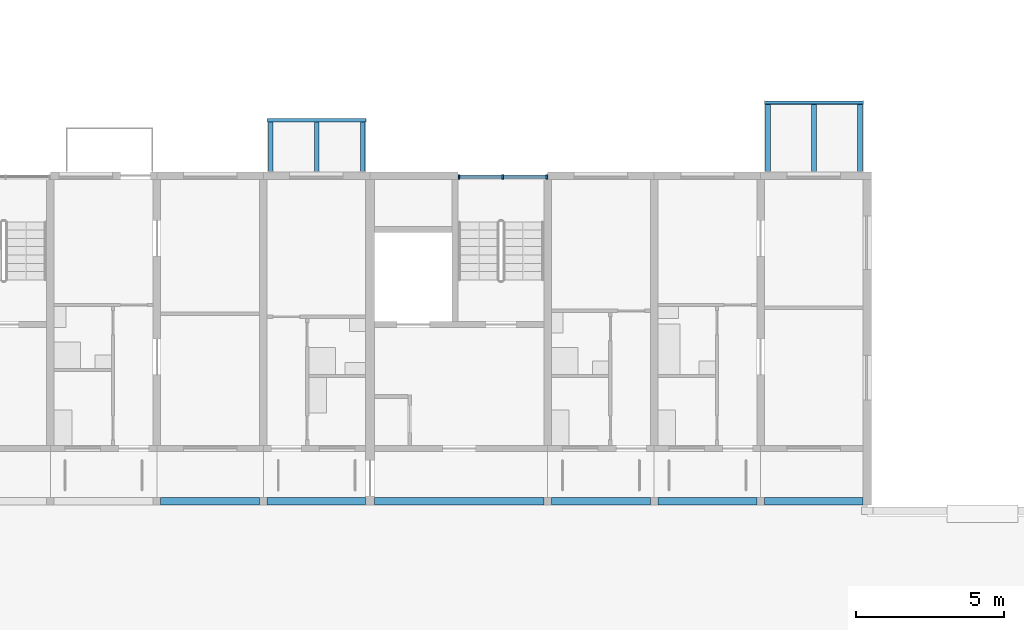
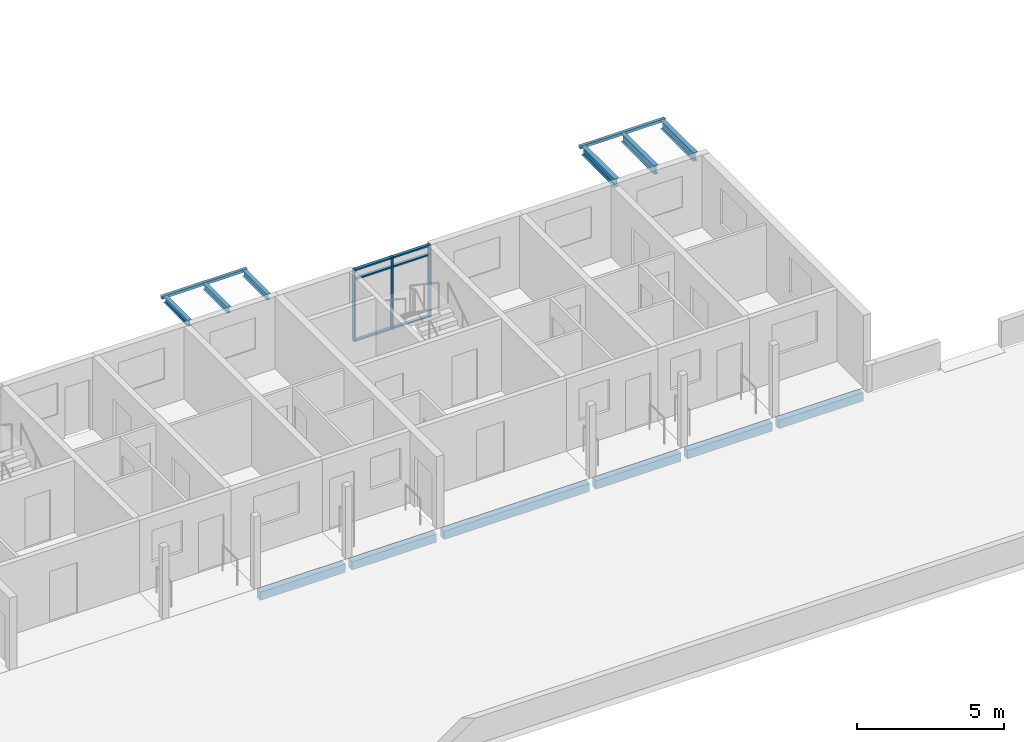
# One storey, part 24 of 115: 14 beams, 9 members, 1 element without a shape of its own.
"""IFC4 building model written with IfcOpenShell, lengths in metres."""

from ifc_helpers import new_model, si_unit, direction, frame, origin, origin_2d, place, context, subcontext, project, spatial, rectangle, hollow_rectangle, i_section, extrude, material, material_profile, profile_set, type_object, element, aggregate, save


model = new_model("IFC4")

# Units and contexts
model_context = context("Model", 3, precision=1e-05, world=origin(), true_north=direction((0.0, 1.0)))
body_context = subcontext(model_context, "Body", "Model", "MODEL_VIEW")
ifc_project = project(units=[si_unit("LENGTHUNIT", "METRE"), si_unit("AREAUNIT", "SQUARE_METRE"), si_unit("VOLUMEUNIT", "CUBIC_METRE"), si_unit("PLANEANGLEUNIT", "RADIAN"), si_unit("MASSUNIT", "GRAM", prefix="KILO")], contexts=[model_context])

# Site, building, storey
site_placement = place(None, origin())
site = spatial("IfcSite", under=ifc_project, at=site_placement, CompositionType="ELEMENT")
building_placement = place(site_placement, origin())
building = spatial("IfcBuilding", under=site, at=building_placement, Name="Ridgestep Commons", CompositionType="ELEMENT")
storey_placement = place(building_placement, frame((0.0, 0.0, 6.0)))
storey = spatial("IfcBuildingStorey", under=building, at=storey_placement, Name="L02", CompositionType="ELEMENT", Elevation=6.0)

# Beams
ifc_material_1 = material(Name="Precast concrete C40/50", Category="concrete")
ifc_material_profile_1 = material_profile(ifc_material_1, rectangle(XDim=0.25, YDim=0.35009765625, at=origin_2d()), Name="PC 250x350")
ifc_profile_set_1 = profile_set([ifc_material_profile_1], Name="Precast concrete C40/50")
beam_type_1 = type_object("IfcBeamType", Name="Loggia edge beam 250 x 350", PredefinedType="SPANDREL", material=ifc_profile_set_1)
beam_1_placement = place(storey_placement, frame((223.72509765625, 11.875, -0.375), z_axis=(1.0, 0.0, 0.0), x_axis=(0.0, 1.0, 0.0)))
element("IfcBeam", 1, at=beam_1_placement, inside=storey, type_object=beam_type_1, Name="Loggia edge beam D5T2 L02", PredefinedType="SPANDREL", context=body_context, shape_type="SweptSolid", body=[
    extrude(rectangle(XDim=0.25, YDim=0.35009765625, at=origin_2d()), origin(), (0.0, 0.0, 1.0), 3.349853515625),
])
beam_2_placement = place(storey_placement, frame((227.324951171875, 11.875, -0.375), z_axis=(1.0, 0.0, 0.0), x_axis=(0.0, 1.0, 0.0)))
element("IfcBeam", 2, at=beam_2_placement, inside=storey, type_object=beam_type_1, Name="Loggia edge beam D5T1 L02", PredefinedType="SPANDREL", context=body_context, shape_type="SweptSolid", body=[
    extrude(rectangle(XDim=0.25, YDim=0.35009765625, at=origin_2d()), origin(), (0.0, 0.0, 1.0), 3.324951171875),
])
beam_3_placement = place(storey_placement, frame((230.949951171875, 11.875, -0.375), z_axis=(1.0, 0.0, 0.0), x_axis=(0.0, 1.0, 0.0)))
element("IfcBeam", 3, at=beam_3_placement, inside=storey, type_object=beam_type_1, Name="Loggia edge beam D6C L02", PredefinedType="SPANDREL", context=body_context, shape_type="SweptSolid", body=[
    extrude(rectangle(XDim=0.25, YDim=0.35009765625, at=origin_2d()), origin(), (0.0, 0.0, 1.0), 5.72509765625),
])
beam_4_placement = place(storey_placement, frame((236.925048828125, 11.875, -0.375), z_axis=(1.0, 0.0, 0.0), x_axis=(0.0, 1.0, 0.0)))
element("IfcBeam", 4, at=beam_4_placement, inside=storey, type_object=beam_type_1, Name="Loggia edge beam D6T3 L02", PredefinedType="SPANDREL", context=body_context, shape_type="SweptSolid", body=[
    extrude(rectangle(XDim=0.25, YDim=0.35009765625, at=origin_2d()), origin(), (0.0, 0.0, 1.0), 3.349853515625),
])
beam_5_placement = place(storey_placement, frame((240.52490234375, 11.875, -0.375), z_axis=(1.0, 0.0, 0.0), x_axis=(0.0, 1.0, 0.0)))
element("IfcBeam", 5, at=beam_5_placement, inside=storey, type_object=beam_type_1, Name="Loggia edge beam D6T2 L02", PredefinedType="SPANDREL", context=body_context, shape_type="SweptSolid", body=[
    extrude(rectangle(XDim=0.25, YDim=0.35009765625, at=origin_2d()), origin(), (0.0, 0.0, 1.0), 3.35009765625),
])
beam_6_placement = place(storey_placement, frame((244.125, 11.875, -0.375), z_axis=(1.0, 0.0, 0.0), x_axis=(0.0, 1.0, 0.0)))
element("IfcBeam", 6, at=beam_6_placement, inside=storey, type_object=beam_type_1, Name="Loggia edge beam D6T1 L02", PredefinedType="SPANDREL", context=body_context, shape_type="SweptSolid", body=[
    extrude(rectangle(XDim=0.25, YDim=0.35009765625, at=origin_2d()), origin(), (0.0, 0.0, 1.0), 3.324951171875),
])

# Curtain wall, members
ifc_material_2 = material(Name="Aluminium 6063-T6 and glass", Category="aluminium")
curtain_wall_type = type_object("IfcCurtainWallType", Name="Curtain wall stair strip", PredefinedType="NOTDEFINED", material=ifc_material_2)
curtain_wall_placement = place(storey_placement, origin())
curtain_wall = element("IfcCurtainWall", 7, at=curtain_wall_placement, inside=storey, type_object=curtain_wall_type, Name="Curtain wall D6C level 02", PredefinedType="NOTDEFINED")
ifc_material_3 = material(Name="Aluminium 6063-T6", Category="aluminium")
ifc_material_profile_2 = material_profile(ifc_material_3, rectangle(XDim=0.159912109375, YDim=0.06005859375, at=origin_2d()), Name="Mullion 60 x 160")
ifc_profile_set_2 = profile_set([ifc_material_profile_2], Name="Aluminium 6063-T6")
member_type_1 = type_object("IfcMemberType", Name="Mullion 60 x 160", PredefinedType="MULLION", material=ifc_profile_set_2)
member_1_placement = place(storey_placement, frame((233.804931640625, 22.830078125, 0.0), z_axis=(0.0, 0.0, 1.0), x_axis=(0.0, 1.0, 0.0)))
member_1 = element("IfcMember", 8, at=member_1_placement, type_object=member_type_1, Name="CW1 mullion 1", PredefinedType="MULLION", context=body_context, shape_type="SweptSolid", body=[
    extrude(rectangle(XDim=0.159912109375, YDim=0.06005859375, at=origin_2d()), origin(), (0.0, 0.0, 1.0), 3.0),
])
member_2_placement = place(storey_placement, frame((235.28759765625, 22.830078125, 0.0), z_axis=(0.0, 0.0, 1.0), x_axis=(0.0, 1.0, 0.0)))
member_2 = element("IfcMember", 9, at=member_2_placement, type_object=member_type_1, Name="CW1 mullion 2", PredefinedType="MULLION", context=body_context, shape_type="SweptSolid", body=[
    extrude(rectangle(XDim=0.159912109375, YDim=0.06005859375, at=origin_2d()), origin(), (0.0, 0.0, 1.0), 3.0),
])
member_3_placement = place(storey_placement, frame((236.77001953125, 22.830078125, 0.0), z_axis=(0.0, 0.0, 1.0), x_axis=(0.0, 1.0, 0.0)))
member_3 = element("IfcMember", 10, at=member_3_placement, type_object=member_type_1, Name="CW1 mullion 3", PredefinedType="MULLION", context=body_context, shape_type="SweptSolid", body=[
    extrude(rectangle(XDim=0.159912109375, YDim=0.06005859375, at=origin_2d()), origin(), (0.0, 0.0, 1.0), 3.0),
])
ifc_material_4 = material(Name="Aluminium 6063-T6", Category="aluminium")
ifc_material_profile_3 = material_profile(ifc_material_4, rectangle(XDim=0.1201171875, YDim=0.06005859375, at=origin_2d()), Name="Transom 60 x 120")
ifc_profile_set_3 = profile_set([ifc_material_profile_3], Name="Aluminium 6063-T6")
member_type_2 = type_object("IfcMemberType", Name="Transom 60 x 120", PredefinedType="USERDEFINED", material=ifc_profile_set_3)
member_4_placement = place(storey_placement, frame((233.8349609375, 22.830078125, 0.030029296875), z_axis=(1.0, 0.0, 0.0), x_axis=(0.0, 1.0, 0.0)))
member_4 = element("IfcMember", 11, at=member_4_placement, type_object=member_type_2, Name="CW1 transom 1.1", ObjectType="TRANSOM", PredefinedType="USERDEFINED", context=body_context, shape_type="SweptSolid", body=[
    extrude(rectangle(XDim=0.1201171875, YDim=0.06005859375, at=origin_2d()), origin(), (0.0, 0.0, 1.0), 1.422607421875),
])
member_5_placement = place(storey_placement, frame((233.8349609375, 22.830078125, 2.590087890625), z_axis=(1.0, 0.0, 0.0), x_axis=(0.0, 1.0, 0.0)))
member_5 = element("IfcMember", 12, at=member_5_placement, type_object=member_type_2, Name="CW1 transom 1.2", ObjectType="TRANSOM", PredefinedType="USERDEFINED", context=body_context, shape_type="SweptSolid", body=[
    extrude(rectangle(XDim=0.1201171875, YDim=0.06005859375, at=origin_2d()), origin(), (0.0, 0.0, 1.0), 1.422607421875),
])
member_6_placement = place(storey_placement, frame((233.8349609375, 22.830078125, 2.969970703125), z_axis=(1.0, 0.0, 0.0), x_axis=(0.0, 1.0, 0.0)))
member_6 = element("IfcMember", 13, at=member_6_placement, type_object=member_type_2, Name="CW1 transom 1.3", ObjectType="TRANSOM", PredefinedType="USERDEFINED", context=body_context, shape_type="SweptSolid", body=[
    extrude(rectangle(XDim=0.1201171875, YDim=0.06005859375, at=origin_2d()), origin(), (0.0, 0.0, 1.0), 1.422607421875),
])
member_7_placement = place(storey_placement, frame((235.3173828125, 22.830078125, 0.030029296875), z_axis=(1.0, 0.0, 0.0), x_axis=(0.0, 1.0, 0.0)))
member_7 = element("IfcMember", 14, at=member_7_placement, type_object=member_type_2, Name="CW1 transom 2.1", ObjectType="TRANSOM", PredefinedType="USERDEFINED", context=body_context, shape_type="SweptSolid", body=[
    extrude(rectangle(XDim=0.1201171875, YDim=0.06005859375, at=origin_2d()), origin(), (0.0, 0.0, 1.0), 1.422607421875),
])
member_8_placement = place(storey_placement, frame((235.3173828125, 22.830078125, 2.590087890625), z_axis=(1.0, 0.0, 0.0), x_axis=(0.0, 1.0, 0.0)))
member_8 = element("IfcMember", 15, at=member_8_placement, type_object=member_type_2, Name="CW1 transom 2.2", ObjectType="TRANSOM", PredefinedType="USERDEFINED", context=body_context, shape_type="SweptSolid", body=[
    extrude(rectangle(XDim=0.1201171875, YDim=0.06005859375, at=origin_2d()), origin(), (0.0, 0.0, 1.0), 1.422607421875),
])
member_9_placement = place(storey_placement, frame((235.3173828125, 22.830078125, 2.969970703125), z_axis=(1.0, 0.0, 0.0), x_axis=(0.0, 1.0, 0.0)))
member_9 = element("IfcMember", 16, at=member_9_placement, type_object=member_type_2, Name="CW1 transom 2.3", ObjectType="TRANSOM", PredefinedType="USERDEFINED", context=body_context, shape_type="SweptSolid", body=[
    extrude(rectangle(XDim=0.1201171875, YDim=0.06005859375, at=origin_2d()), origin(), (0.0, 0.0, 1.0), 1.422607421875),
])
aggregate(curtain_wall, [member_1, member_2, member_3, member_4, member_5, member_6, member_7, member_8, member_9])

# Beams
ifc_material_5 = material(Name="Weathering steel S355J2W", Category="steel")
ifc_material_profile_4 = material_profile(ifc_material_5, i_section(OverallWidth=0.14599609375, OverallDepth=0.25146484375, WebThickness=0.006103515625, FlangeThickness=0.008544921875, FilletRadius=0.007568359375, at=origin_2d()), Name="UB 254x146x31")
ifc_profile_set_4 = profile_set([ifc_material_profile_4], Name="Weathering steel S355J2W")
beam_type_2 = type_object("IfcBeamType", Name="Tray arm UB 254x146x31", PredefinedType="BEAM", material=ifc_profile_set_4)
for number, where, z_axis, x_axis, name in (
    (17, (227.449951171875, 23.014892578125, 2.8642578125), (0.0, 1.0, 0.0), (-1.0, 0.0, 0.0), "Tray arm D5T1-03.1"),
    (18, (229.0, 23.014892578125, 2.8642578125), (0.0, 1.0, 0.0), (-1.0, 0.0, 0.0), "Tray arm D5T1-03.2"),
    (19, (230.550048828125, 23.014892578125, 2.8642578125), (0.0, 1.0, 0.0), (-1.0, 0.0, 0.0), "Tray arm D5T1-03.3"),
):
    element("IfcBeam", number, at=place(storey_placement, frame(where, z_axis=z_axis, x_axis=x_axis)), inside=storey, type_object=beam_type_2, Name=name, PredefinedType="BEAM", context=body_context, shape_type="SweptSolid", body=[
        extrude(i_section(OverallWidth=0.14599609375, OverallDepth=0.25146484375, WebThickness=0.006103515625, FlangeThickness=0.008544921875, FilletRadius=0.007568359375, at=origin_2d()), origin(), (0.0, 0.0, 1.0), 1.6650390625),
    ])
ifc_material_6 = material(Name="Weathering steel S355J2W", Category="steel")
ifc_material_profile_5 = material_profile(ifc_material_6, i_section(OverallWidth=0.171142578125, OverallDepth=0.351318359375, WebThickness=0.007080078125, FlangeThickness=0.009765625, FilletRadius=0.01025390625, at=origin_2d()), Name="UB 356x171x45")
ifc_profile_set_5 = profile_set([ifc_material_profile_5], Name="Weathering steel S355J2W")
beam_type_3 = type_object("IfcBeamType", Name="Tray arm UB 356x171x45", PredefinedType="BEAM", material=ifc_profile_set_5)
for number, where, z_axis, x_axis, name in (
    (20, (244.25, 23.014892578125, 2.814208984375), (0.0, 1.0, 0.0), (-1.0, 0.0, 0.0), "Tray arm D6T1-03.1"),
    (21, (245.800048828125, 23.014892578125, 2.814208984375), (0.0, 1.0, 0.0), (-1.0, 0.0, 0.0), "Tray arm D6T1-03.2"),
    (22, (247.35009765625, 23.014892578125, 2.814208984375), (0.0, 1.0, 0.0), (-1.0, 0.0, 0.0), "Tray arm D6T1-03.3"),
):
    element("IfcBeam", number, at=place(storey_placement, frame(where, z_axis=z_axis, x_axis=x_axis)), inside=storey, type_object=beam_type_3, Name=name, PredefinedType="BEAM", context=body_context, shape_type="SweptSolid", body=[
        extrude(i_section(OverallWidth=0.171142578125, OverallDepth=0.351318359375, WebThickness=0.007080078125, FlangeThickness=0.009765625, FilletRadius=0.01025390625, at=origin_2d()), origin(), (0.0, 0.0, 1.0), 2.26513671875),
    ])
ifc_material_7 = material(Name="Weathering steel S355J2W", Category="steel")
ifc_material_profile_6 = material_profile(ifc_material_7, hollow_rectangle(XDim=0.1201171875, YDim=0.1201171875, WallThickness=0.00634765625, InnerFilletRadius=0.00634765625, OuterFilletRadius=0.009521484375, at=origin_2d()), Name="SHS 120x120x6.3")
ifc_profile_set_6 = profile_set([ifc_material_profile_6], Name="Weathering steel S355J2W")
beam_type_4 = type_object("IfcBeamType", Name="Tray edge member SHS 120x120x6.3", PredefinedType="BEAM", material=ifc_profile_set_6)
beam_7_placement = place(storey_placement, frame((244.1298828125, 25.340087890625, 2.929931640625), z_axis=(1.0, 0.0, 0.0), x_axis=(0.0, 0.0, 1.0)))
element("IfcBeam", 23, at=beam_7_placement, inside=storey, type_object=beam_type_4, Name="Tray edge member D6T1-03", PredefinedType="BEAM", context=body_context, shape_type="SweptSolid", body=[
    extrude(hollow_rectangle(XDim=0.1201171875, YDim=0.1201171875, WallThickness=0.00634765625, InnerFilletRadius=0.00634765625, OuterFilletRadius=0.009521484375, at=origin_2d()), origin(), (0.0, 0.0, 1.0), 3.340087890625),
])
beam_8_placement = place(storey_placement, frame((227.330078125, 24.739990234375, 2.929931640625), z_axis=(1.0, 0.0, 0.0), x_axis=(0.0, 0.0, 1.0)))
element("IfcBeam", 24, at=beam_8_placement, inside=storey, type_object=beam_type_4, Name="Tray edge member D5T1-03", PredefinedType="BEAM", context=body_context, shape_type="SweptSolid", body=[
    extrude(hollow_rectangle(XDim=0.1201171875, YDim=0.1201171875, WallThickness=0.00634765625, InnerFilletRadius=0.00634765625, OuterFilletRadius=0.009521484375, at=origin_2d()), origin(), (0.0, 0.0, 1.0), 3.33984375),
])

save(model, "model.ifc")
